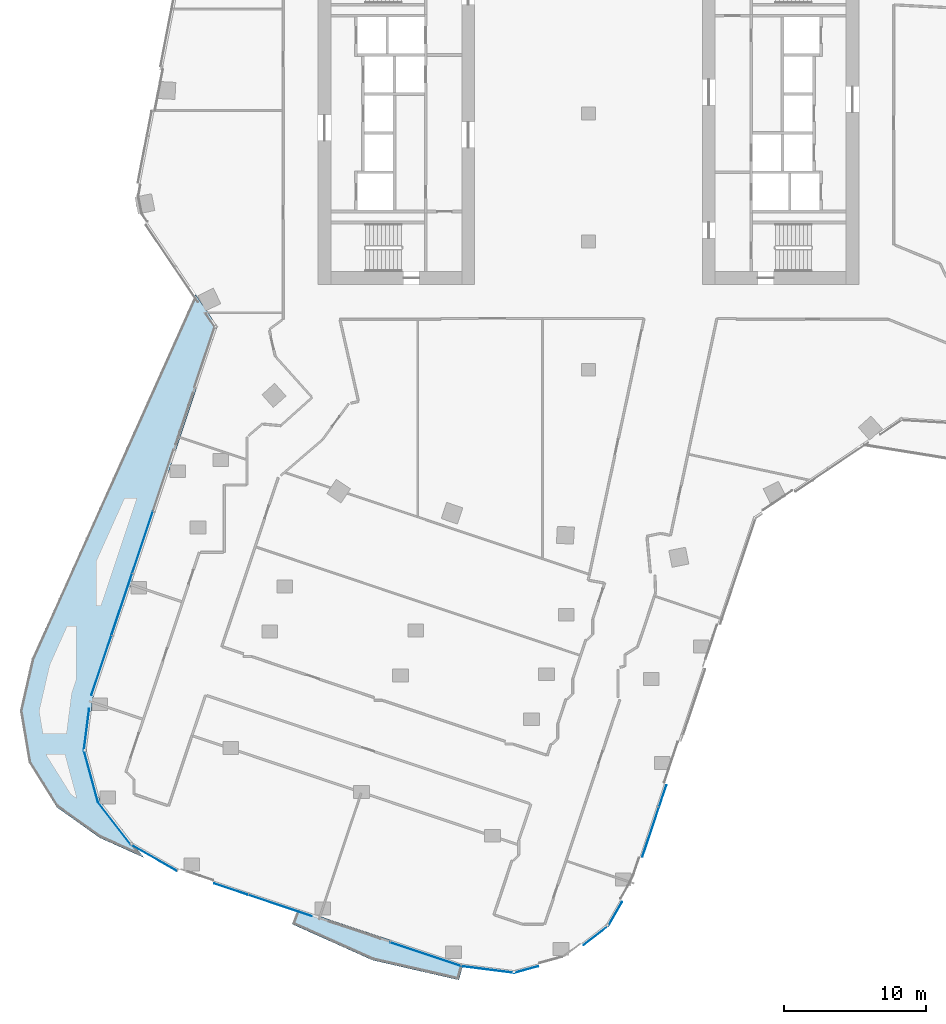
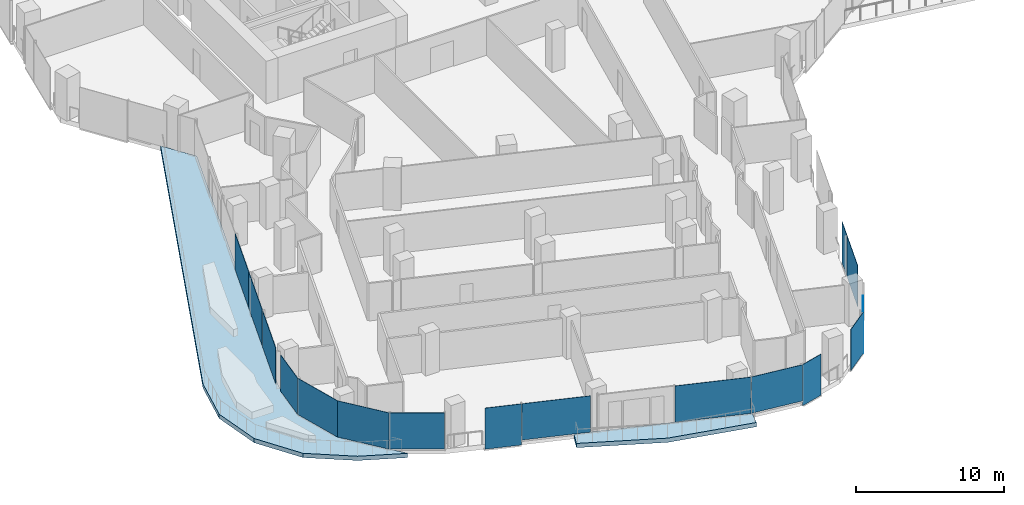
# One storey, part 16 of 34: 16 plates, 2 slabs, 11 elements without a shape of their own.
"""IFC4 building model written with IfcOpenShell, lengths in metres."""

from ifc_helpers import new_model, si_unit, direction, frame, origin, origin_2d, place, context, subcontext, project, spatial, polyline, rectangle, outline, extrude, material, layer, layer_set, type_object, element, aggregate, save


model = new_model("IFC4")

# Units and contexts
model_context = context("Model", 3, precision=1e-05, world=origin(), true_north=direction((0.0, 1.0)))
body_context = subcontext(model_context, "Body", "Model", "MODEL_VIEW")
ifc_project = project(units=[si_unit("LENGTHUNIT", "METRE"), si_unit("AREAUNIT", "SQUARE_METRE"), si_unit("VOLUMEUNIT", "CUBIC_METRE"), si_unit("PLANEANGLEUNIT", "RADIAN"), si_unit("MASSUNIT", "GRAM", prefix="KILO")], contexts=[model_context])

# Site, building, storey
site_placement = place(None, origin())
site = spatial("IfcSite", under=ifc_project, at=site_placement, CompositionType="ELEMENT")
building_placement = place(site_placement, origin())
building = spatial("IfcBuilding", under=site, at=building_placement, Name="Orlundy Tower", CompositionType="ELEMENT")
storey_placement = place(building_placement, frame((0.0, 0.0, 145.60009765625)))
storey = spatial("IfcBuildingStorey", under=building, at=storey_placement, Name="L37", CompositionType="ELEMENT", Elevation=145.60009765625)

# Curtain wall, plates
ifc_material_1 = material(Name="Aluminium bronze anodised", Category="aluminium")
curtain_wall_type = type_object("IfcCurtainWallType", Name="CW1 wall", PredefinedType="NOTDEFINED", material=ifc_material_1)
curtain_wall_1_placement = place(storey_placement, origin())
curtain_wall_1 = element("IfcCurtainWall", 1, at=curtain_wall_1_placement, inside=storey, type_object=curtain_wall_type, Name="CW1 run 02", PredefinedType="NOTDEFINED")
ifc_material_2 = material(Name="Tinted glass", Category="glass")
ifc_layer_1 = layer(ifc_material_2, 0.031982421875)
ifc_layer_set_1 = layer_set([ifc_layer_1], Name="CW1 glass panel 32")
plate_type = type_object("IfcPlateType", Name="CW1 glass panel 32", PredefinedType="CURTAIN_PANEL", material=ifc_layer_set_1)
plate_1_placement = place(storey_placement, frame((5.217041015625, -47.955322265625, -0.280029296875), z_axis=(0.0, 0.0, 1.0), x_axis=(-0.317314020344, -0.948320522025, 0.0)))
plate_1 = element("IfcPlate", 2, at=plate_1_placement, type_object=plate_type, Name="CW1 panel", PredefinedType="CURTAIN_PANEL", context=body_context, shape_type="SweptSolid", body=[
    extrude(rectangle(XDim=1.592529296875, YDim=0.031982421875, at=origin_2d()), origin(), (0.0, 0.0, 1.0), 3.3798828125),
])
plate_2_placement = place(storey_placement, frame((4.3662109375, -50.498046875, -0.280029296875), z_axis=(0.0, 0.0, 1.0), x_axis=(-0.317314020344, -0.948320522025, 0.0)))
plate_2 = element("IfcPlate", 3, at=plate_2_placement, type_object=plate_type, Name="CW1 panel", PredefinedType="CURTAIN_PANEL", context=body_context, shape_type="SweptSolid", body=[
    extrude(rectangle(XDim=3.670166015625, YDim=0.031982421875, at=origin_2d()), origin(), (0.0, 0.0, 1.0), 3.3798828125),
])
aggregate(curtain_wall_1, [plate_1, plate_2])

# Curtain wall, plate
curtain_wall_2_placement = place(storey_placement, origin())
curtain_wall_2 = element("IfcCurtainWall", 4, at=curtain_wall_2_placement, inside=storey, type_object=curtain_wall_type, Name="CW1 run 03", PredefinedType="NOTDEFINED")
plate_3_placement = place(storey_placement, frame((1.868896484375, -56.248779296875, -0.280029296875), z_axis=(0.0, 0.0, 1.0), x_axis=(-0.496167993802, -0.868226538368, 0.0)))
plate_3 = element("IfcPlate", 5, at=plate_3_placement, type_object=plate_type, Name="CW1 panel", PredefinedType="CURTAIN_PANEL", context=body_context, shape_type="SweptSolid", body=[
    extrude(rectangle(XDim=1.937255859375, YDim=0.031982421875, at=origin_2d()), origin(), (0.0, 0.0, 1.0), 3.3798828125),
])
aggregate(curtain_wall_2, [plate_3])

curtain_wall_3_placement = place(storey_placement, origin())
curtain_wall_3 = element("IfcCurtainWall", 6, at=curtain_wall_3_placement, inside=storey, type_object=curtain_wall_type, Name="CW1 run 04", PredefinedType="NOTDEFINED")
plate_4_placement = place(storey_placement, frame((0.523193359375, -57.759765625, -0.280029296875), z_axis=(0.0, 0.0, 1.0), x_axis=(-0.790614183516, -0.61231463548, 0.0)))
plate_4 = element("IfcPlate", 7, at=plate_4_placement, type_object=plate_type, Name="CW1 panel", PredefinedType="CURTAIN_PANEL", context=body_context, shape_type="SweptSolid", body=[
    extrude(rectangle(XDim=2.1884765625, YDim=0.031982421875, at=origin_2d()), origin(), (0.0, 0.0, 1.0), 3.3798828125),
])
aggregate(curtain_wall_3, [plate_4])

curtain_wall_4_placement = place(storey_placement, origin())
curtain_wall_4 = element("IfcCurtainWall", 8, at=curtain_wall_4_placement, inside=storey, type_object=curtain_wall_type, Name="CW1 run 05", PredefinedType="NOTDEFINED")
plate_5_placement = place(storey_placement, frame((-4.3828125, -60.159912109375, -0.280029296875), z_axis=(0.0, 0.0, 1.0), x_axis=(-0.964782496835, -0.263048919026, 0.0)))
plate_5 = element("IfcPlate", 9, at=plate_5_placement, type_object=plate_type, Name="CW1 panel", PredefinedType="CURTAIN_PANEL", context=body_context, shape_type="SweptSolid", body=[
    extrude(rectangle(XDim=1.763427734375, YDim=0.031982421875, at=origin_2d()), origin(), (0.0, 0.0, 1.0), 3.3798828125),
])
aggregate(curtain_wall_4, [plate_5])

curtain_wall_5_placement = place(storey_placement, origin())
curtain_wall_5 = element("IfcCurtainWall", 10, at=curtain_wall_5_placement, inside=storey, type_object=curtain_wall_type, Name="CW1 run 06", PredefinedType="NOTDEFINED")
plate_6_placement = place(storey_placement, frame((-7.08349609375, -60.15625, 0.119873046875), z_axis=(0.0, 0.0, 1.0), x_axis=(-0.99199729737, 0.126259106648, 0.0)))
plate_6 = element("IfcPlate", 11, at=plate_6_placement, type_object=plate_type, Name="CW1 panel", PredefinedType="CURTAIN_PANEL", context=body_context, shape_type="SweptSolid", body=[
    extrude(rectangle(XDim=3.730224609375, YDim=0.031982421875, at=origin_2d()), origin(), (0.0, 0.0, 1.0), 2.97998046875),
])
aggregate(curtain_wall_5, [plate_6])

# Curtain wall, plates
curtain_wall_6_placement = place(storey_placement, origin())
curtain_wall_6 = element("IfcCurtainWall", 12, at=curtain_wall_6_placement, inside=storey, type_object=curtain_wall_type, Name="CW1 run 07", PredefinedType="NOTDEFINED")
plate_7_placement = place(storey_placement, frame((-11.455810546875, -59.082275390625, 0.119873046875), z_axis=(0.0, 0.0, 1.0), x_axis=(-0.948330329219, 0.317284709186, 0.0)))
plate_7 = element("IfcPlate", 13, at=plate_7_placement, type_object=plate_type, Name="CW1 panel", PredefinedType="CURTAIN_PANEL", context=body_context, shape_type="SweptSolid", body=[
    extrude(rectangle(XDim=5.216064453125, YDim=0.031982421875, at=origin_2d()), origin(), (0.0, 0.0, 1.0), 2.97998046875),
])
plate_8_placement = place(storey_placement, frame((-21.662841796875, -55.667236328125, 0.119873046875), z_axis=(0.0, 0.0, 1.0), x_axis=(-0.948330329219, 0.317284709186, 0.0)))
plate_8 = element("IfcPlate", 14, at=plate_8_placement, type_object=plate_type, Name="CW1 panel", PredefinedType="CURTAIN_PANEL", context=body_context, shape_type="SweptSolid", body=[
    extrude(rectangle(XDim=4.68994140625, YDim=0.031982421875, at=origin_2d()), origin(), (0.0, 0.0, 1.0), 2.97998046875),
])
plate_9_placement = place(storey_placement, frame((-25.1162109375, -54.51171875, -0.280029296875), z_axis=(0.0, 0.0, 1.0), x_axis=(-0.948330329219, 0.317284709186, 0.0)))
plate_9 = element("IfcPlate", 15, at=plate_9_placement, type_object=plate_type, Name="CW1 panel", PredefinedType="CURTAIN_PANEL", context=body_context, shape_type="SweptSolid", body=[
    extrude(rectangle(XDim=2.493408203125, YDim=0.031982421875, at=origin_2d()), origin(), (0.0, 0.0, 1.0), 3.3798828125),
])
aggregate(curtain_wall_6, [plate_7, plate_8, plate_9])

# Curtain wall, plate
curtain_wall_7_placement = place(storey_placement, origin())
curtain_wall_7 = element("IfcCurtainWall", 16, at=curtain_wall_7_placement, inside=storey, type_object=curtain_wall_type, Name="CW1 run 08", PredefinedType="NOTDEFINED")
plate_10_placement = place(storey_placement, frame((-30.54541015625, -52.30615234375, 0.119873046875), z_axis=(0.0, 0.0, 1.0), x_axis=(-0.868110302636, 0.496371335249, 0.0)))
plate_10 = element("IfcPlate", 17, at=plate_10_placement, type_object=plate_type, Name="CW1 panel", PredefinedType="CURTAIN_PANEL", context=body_context, shape_type="SweptSolid", body=[
    extrude(rectangle(XDim=3.73046875, YDim=0.031982421875, at=origin_2d()), origin(), (0.0, 0.0, 1.0), 2.97998046875),
])
aggregate(curtain_wall_7, [plate_10])

curtain_wall_8_placement = place(storey_placement, origin())
curtain_wall_8 = element("IfcCurtainWall", 18, at=curtain_wall_8_placement, inside=storey, type_object=curtain_wall_type, Name="CW1 run 09", PredefinedType="NOTDEFINED")
plate_11_placement = place(storey_placement, frame((-33.319580078125, -49.888916015625, 0.119873046875), z_axis=(0.0, 0.0, 1.0), x_axis=(-0.61231463548, 0.790614183516, 0.0)))
plate_11 = element("IfcPlate", 19, at=plate_11_placement, type_object=plate_type, Name="CW1 panel", PredefinedType="CURTAIN_PANEL", context=body_context, shape_type="SweptSolid", body=[
    extrude(rectangle(XDim=3.7724609375, YDim=0.031982421875, at=origin_2d()), origin(), (0.0, 0.0, 1.0), 2.97998046875),
])
aggregate(curtain_wall_8, [plate_11])

curtain_wall_9_placement = place(storey_placement, origin())
curtain_wall_9 = element("IfcCurtainWall", 20, at=curtain_wall_9_placement, inside=storey, type_object=curtain_wall_type, Name="CW1 run 010", PredefinedType="NOTDEFINED")
plate_12_placement = place(storey_placement, frame((-34.97021484375, -46.578125, 0.119873046875), z_axis=(0.0, 0.0, 1.0), x_axis=(-0.262797766834, 0.964850938616, 0.0)))
plate_12 = element("IfcPlate", 21, at=plate_12_placement, type_object=plate_type, Name="CW1 panel", PredefinedType="CURTAIN_PANEL", context=body_context, shape_type="SweptSolid", body=[
    extrude(rectangle(XDim=3.771484375, YDim=0.031982421875, at=origin_2d()), origin(), (0.0, 0.0, 1.0), 2.97998046875),
])
aggregate(curtain_wall_9, [plate_12])

curtain_wall_10_placement = place(storey_placement, origin())
curtain_wall_10 = element("IfcCurtainWall", 22, at=curtain_wall_10_placement, inside=storey, type_object=curtain_wall_type, Name="CW1 run 011", PredefinedType="NOTDEFINED")
plate_13_placement = place(storey_placement, frame((-35.27978515625, -43.294921875, 0.119873046875), z_axis=(0.0, 0.0, 1.0), x_axis=(0.125993609416, 0.992031053136, 0.0)))
plate_13 = element("IfcPlate", 23, at=plate_13_placement, type_object=plate_type, Name="CW1 panel", PredefinedType="CURTAIN_PANEL", context=body_context, shape_type="SweptSolid", body=[
    extrude(rectangle(XDim=2.950927734375, YDim=0.031982421875, at=origin_2d()), origin(), (0.0, 0.0, 1.0), 2.97998046875),
])
aggregate(curtain_wall_10, [plate_13])

# Curtain wall, plates
curtain_wall_11_placement = place(storey_placement, origin())
curtain_wall_11 = element("IfcCurtainWall", 24, at=curtain_wall_11_placement, inside=storey, type_object=curtain_wall_type, Name="CW1 run 012", PredefinedType="NOTDEFINED")
plate_14_placement = place(storey_placement, frame((-34.23779296875, -38.777587890625, 0.119873046875), z_axis=(0.0, 0.0, 1.0), x_axis=(0.317295386712, 0.948326756752, 0.0)))
plate_14 = element("IfcPlate", 25, at=plate_14_placement, type_object=plate_type, Name="CW1 panel", PredefinedType="CURTAIN_PANEL", context=body_context, shape_type="SweptSolid", body=[
    extrude(rectangle(XDim=4.402587890625, YDim=0.031982421875, at=origin_2d()), origin(), (0.0, 0.0, 1.0), 2.97998046875),
])
plate_15_placement = place(storey_placement, frame((-32.803466796875, -34.490478515625, 0.119873046875), z_axis=(0.0, 0.0, 1.0), x_axis=(0.317295386712, 0.948326756752, 0.0)))
plate_15 = element("IfcPlate", 26, at=plate_15_placement, type_object=plate_type, Name="CW1 panel", PredefinedType="CURTAIN_PANEL", context=body_context, shape_type="SweptSolid", body=[
    extrude(rectangle(XDim=4.538818359375, YDim=0.031982421875, at=origin_2d()), origin(), (0.0, 0.0, 1.0), 2.97998046875),
])
plate_16_placement = place(storey_placement, frame((-31.347412109375, -30.138916015625, 0.119873046875), z_axis=(0.0, 0.0, 1.0), x_axis=(0.317295386712, 0.948326756752, 0.0)))
plate_16 = element("IfcPlate", 27, at=plate_16_placement, type_object=plate_type, Name="CW1 panel", PredefinedType="CURTAIN_PANEL", context=body_context, shape_type="SweptSolid", body=[
    extrude(rectangle(XDim=4.538818359375, YDim=0.031982421875, at=origin_2d()), origin(), (0.0, 0.0, 1.0), 2.97998046875),
])
aggregate(curtain_wall_11, [plate_14, plate_15, plate_16])

# Slabs
ifc_material_3 = material(Name="Concrete C45/55", Category="concrete")
ifc_layer_2 = layer(ifc_material_3, 0.35009765625)
ifc_layer_set_2 = layer_set([ifc_layer_2], Name="TERRACE SLAB 350 C45/55")
slab_type = type_object("IfcSlabType", Name="TERRACE SLAB 350 C45/55", PredefinedType="ROOF", material=ifc_layer_set_2)
slab_1_placement = place(storey_placement, frame((0.0, 0.0, -0.35009765625)))
element("IfcSlab", 28, at=slab_1_placement, inside=storey, type_object=slab_type, Name="Terrace slab L37-2", PredefinedType="ROOF", context=body_context, shape_type="SweptSolid", body=[
    extrude(outline(polyline([(-20.8369140625, -56.9609375), (-20.425048828125, -55.907958984375), (-8.804931640625, -59.797119140625), (-9.113037109375, -60.89111328125), (-15.18798828125, -59.49609375), (-20.8369140625, -56.9609375)])), origin(), (0.0, 0.0, 1.0), 0.35009765625),
])
slab_2_placement = place(storey_placement, frame((0.0, 0.0, -0.35009765625)))
element("IfcSlab", 29, at=slab_2_placement, inside=storey, type_object=slab_type, Name="Terrace slab L37-3", PredefinedType="ROOF", context=body_context, shape_type="SweptSolid", body=[
    extrude(outline(polyline([(-31.256103515625, -52.284912109375), (-34.347900390625, -50.89892578125), (-37.368896484375, -48.7509765625), (-39.337890625, -45.610107421875), (-39.955078125, -41.955078125), (-39.1259765625, -38.342041015625), (-27.6201171875, -12.699951171875), (-26.095947265625, -14.9599609375), (-34.83203125, -41.070068359375), (-35.299072265625, -44.7470703125), (-34.324951171875, -48.322998046875), (-31.256103515625, -52.284912109375)])), origin(), (0.0, 0.0, 1.0), 0.35009765625),
])

save(model, "model.ifc")
